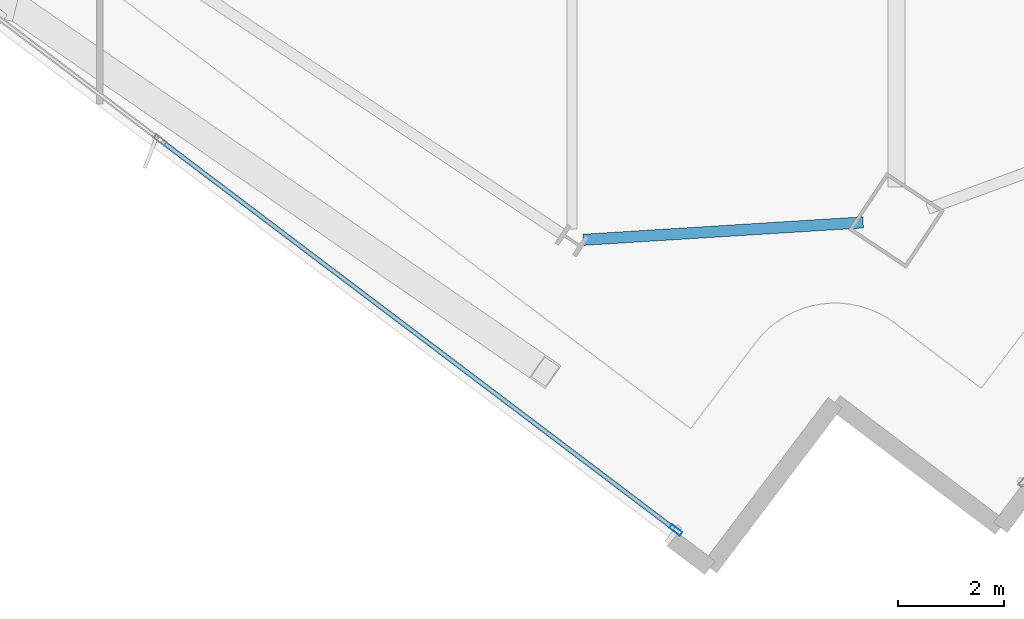
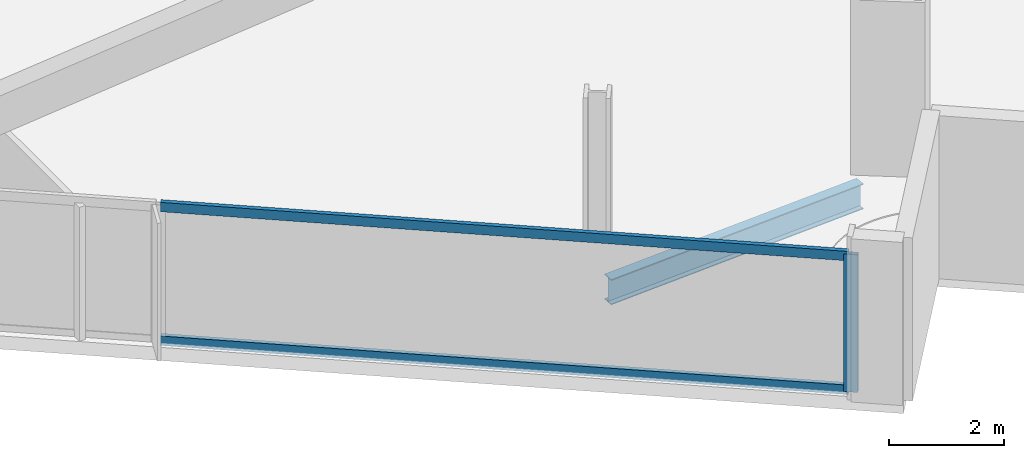
# One storey, part 3 of 34: 3 members, 1 beam, 1 element without a shape of its own.
"""IFC4 building model written with IfcOpenShell, lengths in metres."""

from ifc_helpers import new_model, si_unit, direction, frame, origin, origin_2d, place, context, subcontext, project, spatial, hollow_rectangle, i_section, extrude, material, material_profile, profile_set, type_object, element, aggregate, save


model = new_model("IFC4")

# Units and contexts
model_context = context("Model", 3, precision=1e-05, world=origin(), true_north=direction((0.0, 1.0)))
body_context = subcontext(model_context, "Body", "Model", "MODEL_VIEW")
ifc_project = project(units=[si_unit("LENGTHUNIT", "METRE"), si_unit("AREAUNIT", "SQUARE_METRE"), si_unit("VOLUMEUNIT", "CUBIC_METRE"), si_unit("PLANEANGLEUNIT", "RADIAN"), si_unit("MASSUNIT", "GRAM", prefix="KILO")], contexts=[model_context])

# Site, building, storey
site_placement = place(None, origin())
site = spatial("IfcSite", under=ifc_project, at=site_placement, CompositionType="ELEMENT")
building_placement = place(site_placement, origin())
building = spatial("IfcBuilding", under=site, at=building_placement, Name="Haldenkirk Collegiate Tower", CompositionType="ELEMENT")
storey_placement = place(building_placement, frame((0.0, 0.0, 205.949951171875)))
storey = spatial("IfcBuildingStorey", under=building, at=storey_placement, Name="L51", CompositionType="ELEMENT", Elevation=205.949951171875)

# Beam
ifc_material_1 = material(Name="Steel ASTM A992 Grade 50", Category="steel")
ifc_material_profile_1 = material_profile(ifc_material_1, i_section(OverallWidth=0.2099609375, OverallDepth=0.537109375, WebThickness=0.010986328125, FlangeThickness=0.017333984375, at=origin_2d()), Name="W21X68")
ifc_profile_set_1 = profile_set([ifc_material_profile_1], Name="Steel ASTM A992 Grade 50")
beam_type = type_object("IfcBeamType", Name="BM-SPANDREL-W21X68", PredefinedType="SPANDREL", material=ifc_profile_set_1)
beam_placement = place(storey_placement, frame((34.59326171875, 0.966064453125, -0.54833984375), z_axis=(0.99806607268, 0.062162002577, 0.0), x_axis=(-0.062162002577, 0.99806607268, 0.0)))
element("IfcBeam", 1, at=beam_placement, inside=storey, type_object=beam_type, Name="L51 perimeter spandrel beam 16", PredefinedType="SPANDREL", context=body_context, shape_type="SweptSolid", body=[
    extrude(i_section(OverallWidth=0.2099609375, OverallDepth=0.537109375, WebThickness=0.010986328125, FlangeThickness=0.017333984375, at=origin_2d()), origin(), (0.0, 0.0, 1.0), 5.270751953125),
])

# Curtain wall, members
ifc_material_2 = material(Name="Anodised architectural bronze aluminium", Category="aluminium")
curtain_wall_type = type_object("IfcCurtainWallType", Name="CW-SYS1B-CONVEX-HI", PredefinedType="USERDEFINED", material=ifc_material_2)
curtain_wall_placement = place(storey_placement, origin())
curtain_wall = element("IfcCurtainWall", 2, at=curtain_wall_placement, inside=storey, type_object=curtain_wall_type, Name="L51 Upper tower high-wind convex bronze unitised curtain wall", ObjectType="UNITISED CURTAIN WALL", PredefinedType="USERDEFINED")
ifc_material_profile_2 = material_profile(ifc_material_2, hollow_rectangle(XDim=0.0849609375, YDim=0.25, WallThickness=0.0048828125, at=origin_2d()), Name="CW-MUL-1B")
ifc_profile_set_2 = profile_set([ifc_material_profile_2], Name="Anodised architectural bronze aluminium")
member_type_1 = type_object("IfcMemberType", Name="CW-MUL-1B", PredefinedType="MULLION", material=ifc_profile_set_2)
member_1_placement = place(storey_placement, frame((36.33154296875, -4.491943359375, 0.0), z_axis=(0.0, 0.0, 1.0), x_axis=(-0.603207402306, -0.797584371589, 0.0)))
member_1 = element("IfcMember", 3, at=member_1_placement, type_object=member_type_1, Name="CW-1B mullion 1", PredefinedType="MULLION", context=body_context, shape_type="SweptSolid", body=[
    extrude(hollow_rectangle(XDim=0.0849609375, YDim=0.25, WallThickness=0.0048828125, at=origin_2d()), origin(), (0.0, 0.0, 1.0), 2.927978515625),
])
ifc_material_profile_3 = material_profile(ifc_material_2, hollow_rectangle(XDim=0.0849609375, YDim=0.199951171875, WallThickness=0.0048828125, at=origin_2d()), Name="CW-TRN-1B")
ifc_profile_set_3 = profile_set([ifc_material_profile_3], Name="Anodised architectural bronze aluminium")
member_type_2 = type_object("IfcMemberType", Name="CW-TRN-1B", PredefinedType="USERDEFINED", material=ifc_profile_set_3)
member_2_placement = place(storey_placement, frame((36.297607421875, -4.46630859375, 0.04248046875), z_axis=(-0.797578883396, 0.60321465894, 0.0), x_axis=(-0.60321465894, -0.797578883396, 0.0)))
member_2 = element("IfcMember", 4, at=member_2_placement, type_object=member_type_2, Name="CW-1B transom 1.1", ObjectType="TRANSOM", PredefinedType="USERDEFINED", context=body_context, shape_type="SweptSolid", body=[
    extrude(hollow_rectangle(XDim=0.0849609375, YDim=0.199951171875, WallThickness=0.0048828125, at=origin_2d()), origin(), (0.0, 0.0, 1.0), 12.072265625),
])
member_3_placement = place(storey_placement, frame((36.297607421875, -4.46630859375, 2.885498046875), z_axis=(-0.797578883396, 0.60321465894, 0.0), x_axis=(-0.60321465894, -0.797578883396, 0.0)))
member_3 = element("IfcMember", 5, at=member_3_placement, type_object=member_type_2, Name="CW-1B transom 1.2", ObjectType="TRANSOM", PredefinedType="USERDEFINED", context=body_context, shape_type="SweptSolid", body=[
    extrude(hollow_rectangle(XDim=0.0849609375, YDim=0.199951171875, WallThickness=0.0048828125, at=origin_2d()), origin(), (0.0, 0.0, 1.0), 12.072265625),
])
aggregate(curtain_wall, [member_1, member_2, member_3])

save(model, "model.ifc")
